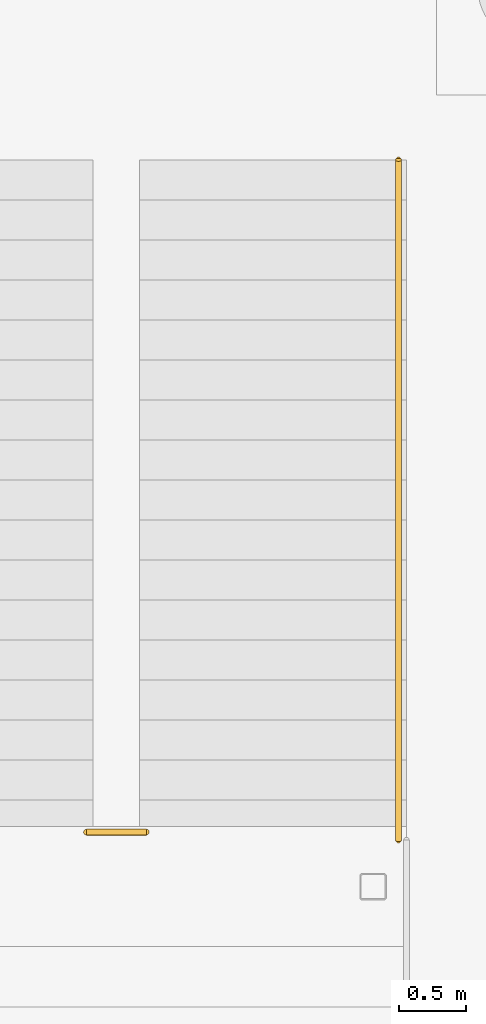
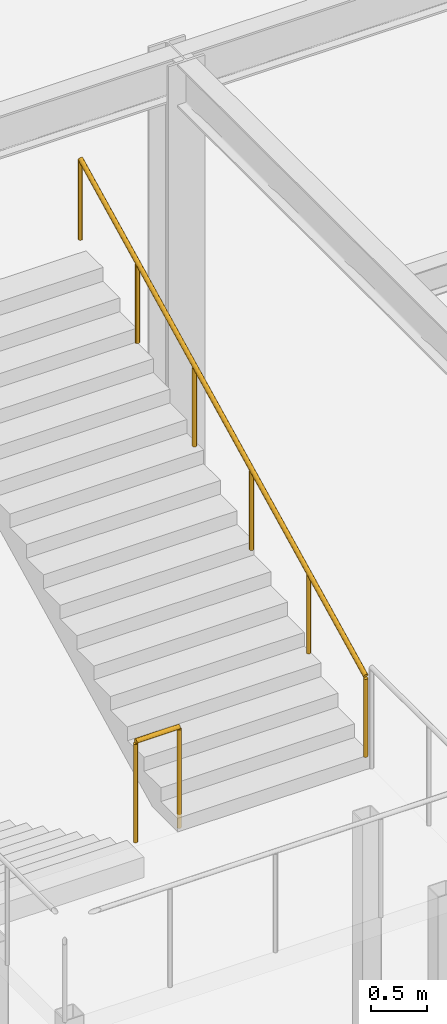
# One storey, part 117 of 129: 2 railings.
"""IFC4 building model written with IfcOpenShell, lengths in metres."""

from ifc_helpers import new_model, si_unit, direction, frame, origin, origin_2d, place, context, subcontext, project, spatial, circle, extrude, material, type_object, element, save


model = new_model("IFC4")

# Units and contexts
model_context = context("Model", 3, precision=1e-05, world=origin(), true_north=direction((0.0, 1.0)))
body_context = subcontext(model_context, "Body", "Model", "MODEL_VIEW")
ifc_project = project(units=[si_unit("LENGTHUNIT", "METRE"), si_unit("AREAUNIT", "SQUARE_METRE"), si_unit("VOLUMEUNIT", "CUBIC_METRE"), si_unit("PLANEANGLEUNIT", "RADIAN"), si_unit("MASSUNIT", "GRAM", prefix="KILO")], contexts=[model_context])

# Site, building, storey
site_placement = place(None, origin())
site = spatial("IfcSite", under=ifc_project, at=site_placement, CompositionType="ELEMENT")
building_placement = place(site_placement, origin())
building = spatial("IfcBuilding", under=site, at=building_placement, Name="Sitalva Quay Ferry Terminal", CompositionType="ELEMENT")
storey_placement = place(building_placement, origin())
storey = spatial("IfcBuildingStorey", under=building, at=storey_placement, Name="L01", CompositionType="ELEMENT", Elevation=0.0)

# Railings
ifc_material_1 = material(Name="Stainless Steel 316L & Laminated Glass", Category="steel")
railing_type_1 = type_object("IfcRailingType", Name="Railing_Balustrade_1120", PredefinedType="BALUSTRADE", material=ifc_material_1)
railing_1_placement = place(storey_placement, frame((53.25, 22.5, 2.699951171875)))
element("IfcRailing", 1, at=railing_1_placement, inside=storey, type_object=railing_type_1, Name="ST-11-GR-SLOT", PredefinedType="BALUSTRADE", context=body_context, shape_type="SweptSolid", body=[
    extrude(circle(Radius=0.02392578125, at=origin_2d()), frame((0.0, 0.0, 1.09619140625), z_axis=(1.0, 0.0, 0.0), x_axis=(0.0, 1.0, 0.0)), (0.0, 0.0, 1.0), 0.449951171875),
    extrude(circle(Radius=0.02099609375, at=origin_2d()), origin(), (0.0, 0.0, 1.0), 1.072021484375),
    extrude(circle(Radius=0.02099609375, at=origin_2d()), frame((0.449951171875, 0.0, 0.0)), (0.0, 0.0, 1.0), 1.072021484375),
])
ifc_material_2 = material(Name="Stainless Steel 316L", Category="steel")
railing_type_2 = type_object("IfcRailingType", Name="Railing_Handrail_900", PredefinedType="HANDRAIL", material=ifc_material_2)
railing_2_placement = place(storey_placement, frame((55.590087890625, 22.43994140625, 2.85009765625)))
element("IfcRailing", 2, at=railing_2_placement, inside=storey, type_object=railing_type_2, Name="ST-11-HR2", PredefinedType="HANDRAIL", context=body_context, shape_type="SweptSolid", body=[
    extrude(circle(Radius=0.02392578125, at=origin_2d()), frame((0.0, 0.0, 0.8759765625), z_axis=(0.0, 0.89444431709, 0.44717934168), x_axis=(-1.0, 0.0, 0.0)), (0.0, 0.0, 1.0), 5.701904296875),
    extrude(circle(Radius=0.02099609375, at=origin_2d()), origin(), (0.0, 0.0, 1.0), 0.851806640625),
    extrude(circle(Radius=0.02099609375, at=origin_2d()), frame((0.0, 1.02001953125, 0.510009765625)), (0.0, 0.0, 1.0), 0.851806640625),
    extrude(circle(Radius=0.02099609375, at=origin_2d()), frame((0.0, 2.0400390625, 1.02001953125)), (0.0, 0.0, 1.0), 0.851806640625),
    extrude(circle(Radius=0.02099609375, at=origin_2d()), frame((0.0, 3.06005859375, 1.52978515625)), (0.0, 0.0, 1.0), 0.851806640625),
    extrude(circle(Radius=0.02099609375, at=origin_2d()), frame((0.0, 4.080078125, 2.039794921875)), (0.0, 0.0, 1.0), 0.851806640625),
    extrude(circle(Radius=0.02099609375, at=origin_2d()), frame((0.0, 5.10009765625, 2.5498046875)), (0.0, 0.0, 1.0), 0.851806640625),
])

save(model, "model.ifc")
